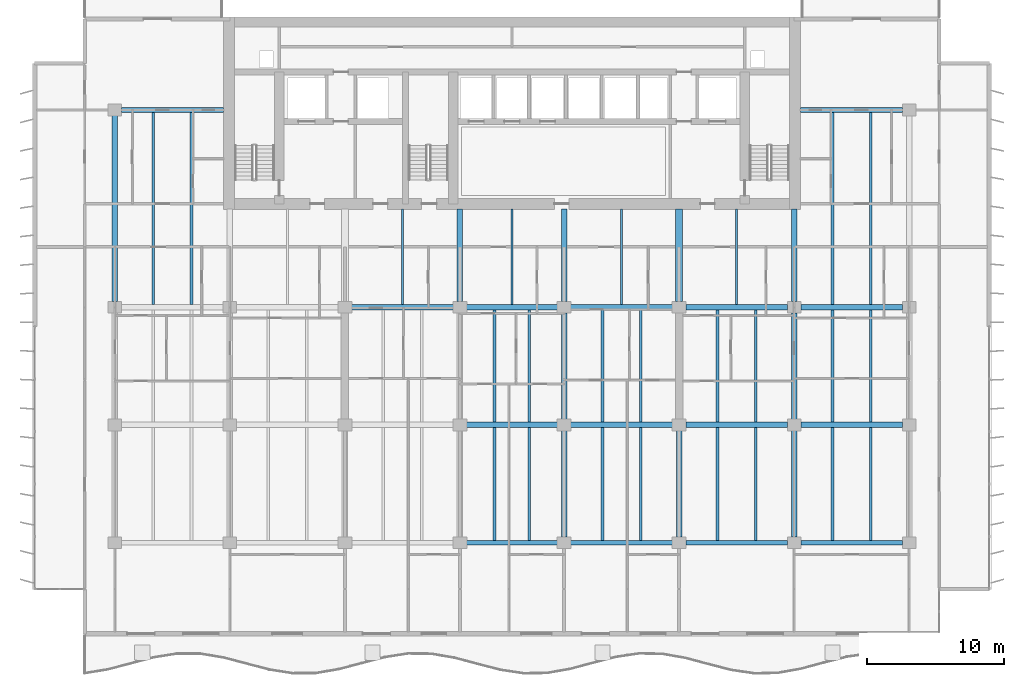
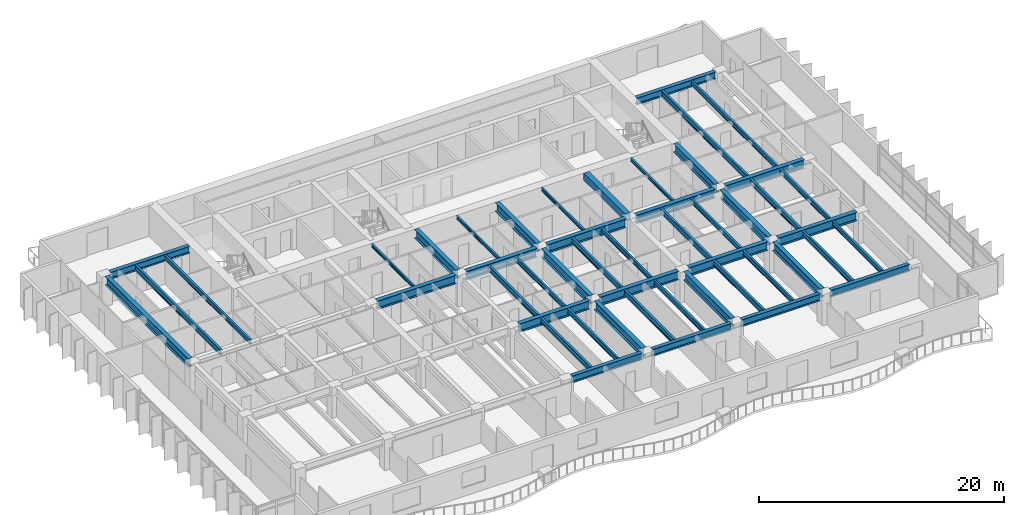
# One storey, part 3 of 19: 49 beams.
"""IFC4 building model written with IfcOpenShell, lengths in metres."""

from ifc_helpers import new_model, si_unit, direction, frame, origin, origin_2d, place, context, subcontext, project, spatial, rectangle, i_section, extrude, material, material_profile, profile_set, type_object, element, save


model = new_model("IFC4")

# Units and contexts
model_context = context("Model", 3, precision=1e-05, world=origin(), true_north=direction((0.0, 1.0)))
body_context = subcontext(model_context, "Body", "Model", "MODEL_VIEW")
ifc_project = project(units=[si_unit("LENGTHUNIT", "METRE"), si_unit("AREAUNIT", "SQUARE_METRE"), si_unit("VOLUMEUNIT", "CUBIC_METRE"), si_unit("PLANEANGLEUNIT", "RADIAN"), si_unit("MASSUNIT", "GRAM", prefix="KILO")], contexts=[model_context])

# Site, building, storey
site_placement = place(None, origin())
site = spatial("IfcSite", under=ifc_project, at=site_placement, CompositionType="ELEMENT")
building_placement = place(site_placement, origin())
building = spatial("IfcBuilding", under=site, at=building_placement, Name="Caelmar Bay Residences", CompositionType="ELEMENT")
storey_placement = place(building_placement, frame((0.0, 0.0, 91.199951171875)))
storey = spatial("IfcBuildingStorey", under=building, at=storey_placement, Name="L24", CompositionType="ELEMENT", Elevation=91.199951171875)

# Beams
ifc_material_1 = material(Name="Steel ASTM A992 Grade 50", Category="steel")
ifc_material_profile_1 = material_profile(ifc_material_1, i_section(OverallWidth=0.40087890625, OverallDepth=0.861083984375, WebThickness=0.019775390625, FlangeThickness=0.032470703125, FilletRadius=0.017822265625, at=origin_2d()), Name="W33X221")
ifc_profile_set_1 = profile_set([ifc_material_profile_1], Name="Steel ASTM A992 Grade 50")
beam_type_1 = type_object("IfcBeamType", Name="BM-GRD-W33X221", PredefinedType="BEAM", material=ifc_profile_set_1)
beam_1_placement = place(storey_placement, frame((35.590087890625, 20.800048828125, 2.61962890625), z_axis=(1.0, 0.0, 0.0), x_axis=(0.0, 1.0, 0.0)))
element("IfcBeam", 1, at=beam_1_placement, inside=storey, type_object=beam_type_1, Name="L24 East-West Girder Y=20.80 (35.1-42.7)", PredefinedType="BEAM", context=body_context, shape_type="SweptSolid", body=[
    extrude(i_section(OverallWidth=0.40087890625, OverallDepth=0.861083984375, WebThickness=0.019775390625, FlangeThickness=0.032470703125, FilletRadius=0.017822265625, at=origin_2d()), origin(), (0.0, 0.0, 1.0), 6.619873046875),
])
beam_2_placement = place(storey_placement, frame((43.18994140625, 20.800048828125, 2.61962890625), z_axis=(1.0, 0.0, 0.0), x_axis=(0.0, 1.0, 0.0)))
element("IfcBeam", 2, at=beam_2_placement, inside=storey, type_object=beam_type_1, Name="L24 East-West Girder Y=20.80 (42.7-51.1)", PredefinedType="BEAM", context=body_context, shape_type="SweptSolid", body=[
    extrude(i_section(OverallWidth=0.40087890625, OverallDepth=0.861083984375, WebThickness=0.019775390625, FlangeThickness=0.032470703125, FilletRadius=0.017822265625, at=origin_2d()), origin(), (0.0, 0.0, 1.0), 7.420166015625),
])
for number, where, z_axis, x_axis, name in (
    (3, (51.590087890625, 20.800048828125, 2.61962890625), (1.0, 0.0, 0.0), (0.0, 1.0, 0.0), "L24 East-West Girder Y=20.80 (51.1-59.5)"),
    (4, (59.989990234375, 20.800048828125, 2.61962890625), (1.0, 0.0, 0.0), (0.0, 1.0, 0.0), "L24 East-West Girder Y=20.80 (59.5-67.9)"),
):
    element("IfcBeam", number, at=place(storey_placement, frame(where, z_axis=z_axis, x_axis=x_axis)), inside=storey, type_object=beam_type_1, Name=name, PredefinedType="BEAM", context=body_context, shape_type="SweptSolid", body=[
        extrude(i_section(OverallWidth=0.40087890625, OverallDepth=0.861083984375, WebThickness=0.019775390625, FlangeThickness=0.032470703125, FilletRadius=0.017822265625, at=origin_2d()), origin(), (0.0, 0.0, 1.0), 7.419921875),
    ])
beam_3_placement = place(storey_placement, frame((27.18994140625, 29.39990234375, 2.61962890625), z_axis=(1.0, 0.0, 0.0), x_axis=(0.0, 1.0, 0.0)))
element("IfcBeam", 5, at=beam_3_placement, inside=storey, type_object=beam_type_1, Name="L24 East-West Girder Y=29.40 (26.7-35.1)", PredefinedType="BEAM", context=body_context, shape_type="SweptSolid", body=[
    extrude(i_section(OverallWidth=0.40087890625, OverallDepth=0.861083984375, WebThickness=0.019775390625, FlangeThickness=0.032470703125, FilletRadius=0.017822265625, at=origin_2d()), origin(), (0.0, 0.0, 1.0), 7.420166015625),
])
beam_4_placement = place(storey_placement, frame((35.590087890625, 29.39990234375, 2.61962890625), z_axis=(1.0, 0.0, 0.0), x_axis=(0.0, 1.0, 0.0)))
element("IfcBeam", 6, at=beam_4_placement, inside=storey, type_object=beam_type_1, Name="L24 East-West Girder Y=29.40 (35.1-42.7)", PredefinedType="BEAM", context=body_context, shape_type="SweptSolid", body=[
    extrude(i_section(OverallWidth=0.40087890625, OverallDepth=0.861083984375, WebThickness=0.019775390625, FlangeThickness=0.032470703125, FilletRadius=0.017822265625, at=origin_2d()), origin(), (0.0, 0.0, 1.0), 6.619873046875),
])
beam_5_placement = place(storey_placement, frame((43.18994140625, 29.39990234375, 2.61962890625), z_axis=(1.0, 0.0, 0.0), x_axis=(0.0, 1.0, 0.0)))
element("IfcBeam", 7, at=beam_5_placement, inside=storey, type_object=beam_type_1, Name="L24 East-West Girder Y=29.40 (42.7-51.1)", PredefinedType="BEAM", context=body_context, shape_type="SweptSolid", body=[
    extrude(i_section(OverallWidth=0.40087890625, OverallDepth=0.861083984375, WebThickness=0.019775390625, FlangeThickness=0.032470703125, FilletRadius=0.017822265625, at=origin_2d()), origin(), (0.0, 0.0, 1.0), 7.420166015625),
])
for number, where, z_axis, x_axis, name in (
    (8, (51.590087890625, 29.39990234375, 2.61962890625), (1.0, 0.0, 0.0), (0.0, 1.0, 0.0), "L24 East-West Girder Y=29.40 (51.1-59.5)"),
    (9, (59.989990234375, 29.39990234375, 2.61962890625), (1.0, 0.0, 0.0), (0.0, 1.0, 0.0), "L24 East-West Girder Y=29.40 (59.5-67.9)"),
):
    element("IfcBeam", number, at=place(storey_placement, frame(where, z_axis=z_axis, x_axis=x_axis)), inside=storey, type_object=beam_type_1, Name=name, PredefinedType="BEAM", context=body_context, shape_type="SweptSolid", body=[
        extrude(i_section(OverallWidth=0.40087890625, OverallDepth=0.861083984375, WebThickness=0.019775390625, FlangeThickness=0.032470703125, FilletRadius=0.017822265625, at=origin_2d()), origin(), (0.0, 0.0, 1.0), 7.419921875),
    ])
beam_6_placement = place(storey_placement, frame((9.89990234375, 29.81494140625, 2.61962890625), z_axis=(0.0, 1.0, 0.0), x_axis=(-1.0, 0.0, 0.0)))
element("IfcBeam", 10, at=beam_6_placement, inside=storey, type_object=beam_type_1, Name="L24 North-South Girder X=9.90 (29.4-43.8)", PredefinedType="BEAM", context=body_context, shape_type="SweptSolid", body=[
    extrude(i_section(OverallWidth=0.40087890625, OverallDepth=0.861083984375, WebThickness=0.019775390625, FlangeThickness=0.032470703125, FilletRadius=0.017822265625, at=origin_2d()), origin(), (0.0, 0.0, 1.0), 13.570068359375),
])
for number, where, z_axis, x_axis, name in (
    (11, (35.10009765625, 29.81494140625, 2.61962890625), (0.0, 1.0, 0.0), (-1.0, 0.0, 0.0), "L24 Core Tie Girder X=35.10"),
    (12, (42.699951171875, 29.81494140625, 2.61962890625), (0.0, 1.0, 0.0), (-1.0, 0.0, 0.0), "L24 Core Tie Girder X=42.70"),
):
    element("IfcBeam", number, at=place(storey_placement, frame(where, z_axis=z_axis, x_axis=x_axis)), inside=storey, type_object=beam_type_1, Name=name, PredefinedType="BEAM", context=body_context, shape_type="SweptSolid", body=[
        extrude(i_section(OverallWidth=0.40087890625, OverallDepth=0.861083984375, WebThickness=0.019775390625, FlangeThickness=0.032470703125, FilletRadius=0.017822265625, at=origin_2d()), origin(), (0.0, 0.0, 1.0), 6.735107421875),
    ])
for number, where, z_axis, x_axis, name in (
    (13, (42.699951171875, 12.614990234375, 2.61962890625), (0.0, 1.0, 0.0), (-1.0, 0.0, 0.0), "L24 North-South Girder X=42.70 (12.2-20.8)"),
    (14, (42.699951171875, 21.215087890625, 2.61962890625), (0.0, 1.0, 0.0), (-1.0, 0.0, 0.0), "L24 North-South Girder X=42.70 (20.8-29.4)"),
    (15, (51.10009765625, 12.614990234375, 2.61962890625), (0.0, 1.0, 0.0), (-1.0, 0.0, 0.0), "L24 North-South Girder X=51.10 (12.2-20.8)"),
):
    element("IfcBeam", number, at=place(storey_placement, frame(where, z_axis=z_axis, x_axis=x_axis)), inside=storey, type_object=beam_type_1, Name=name, PredefinedType="BEAM", context=body_context, shape_type="SweptSolid", body=[
        extrude(i_section(OverallWidth=0.40087890625, OverallDepth=0.861083984375, WebThickness=0.019775390625, FlangeThickness=0.032470703125, FilletRadius=0.017822265625, at=origin_2d()), origin(), (0.0, 0.0, 1.0), 7.77001953125),
    ])
beam_7_placement = place(storey_placement, frame((59.5, 29.81494140625, 2.61962890625), z_axis=(0.0, 1.0, 0.0), x_axis=(-1.0, 0.0, 0.0)))
element("IfcBeam", 16, at=beam_7_placement, inside=storey, type_object=beam_type_1, Name="L24 Core Tie Girder X=59.50", PredefinedType="BEAM", context=body_context, shape_type="SweptSolid", body=[
    extrude(i_section(OverallWidth=0.40087890625, OverallDepth=0.861083984375, WebThickness=0.019775390625, FlangeThickness=0.032470703125, FilletRadius=0.017822265625, at=origin_2d()), origin(), (0.0, 0.0, 1.0), 6.735107421875),
])
for number, where, z_axis, x_axis, name in (
    (17, (59.5, 12.614990234375, 2.61962890625), (0.0, 1.0, 0.0), (-1.0, 0.0, 0.0), "L24 North-South Girder X=59.50 (12.2-20.8)"),
    (18, (59.5, 21.215087890625, 2.61962890625), (0.0, 1.0, 0.0), (-1.0, 0.0, 0.0), "L24 North-South Girder X=59.50 (20.8-29.4)"),
):
    element("IfcBeam", number, at=place(storey_placement, frame(where, z_axis=z_axis, x_axis=x_axis)), inside=storey, type_object=beam_type_1, Name=name, PredefinedType="BEAM", context=body_context, shape_type="SweptSolid", body=[
        extrude(i_section(OverallWidth=0.40087890625, OverallDepth=0.861083984375, WebThickness=0.019775390625, FlangeThickness=0.032470703125, FilletRadius=0.017822265625, at=origin_2d()), origin(), (0.0, 0.0, 1.0), 7.77001953125),
    ])
ifc_material_profile_2 = material_profile(ifc_material_1, i_section(OverallWidth=0.1650390625, OverallDepth=0.31005859375, WebThickness=0.005859375, FlangeThickness=0.009765625, FilletRadius=0.007568359375, at=origin_2d()), Name="W12X26")
ifc_profile_set_2 = profile_set([ifc_material_profile_2], Name="Steel ASTM A992 Grade 50")
beam_type_2 = type_object("IfcBeamType", Name="BM-JST-W12X26", PredefinedType="JOIST", material=ifc_profile_set_2)
for number, where, z_axis, x_axis, name in (
    (19, (30.89990234375, 29.6005859375, 2.89501953125), (0.0, 1.0, 0.0), (-1.0, 0.0, 0.0), "L24 Core-Band Composite Joist 30"),
    (20, (38.89990234375, 29.6005859375, 2.89501953125), (0.0, 1.0, 0.0), (-1.0, 0.0, 0.0), "L24 Core-Band Composite Joist 31"),
    (21, (46.89990234375, 29.6005859375, 2.89501953125), (0.0, 1.0, 0.0), (-1.0, 0.0, 0.0), "L24 Core-Band Composite Joist 32"),
    (22, (55.300048828125, 29.6005859375, 2.89501953125), (0.0, 1.0, 0.0), (-1.0, 0.0, 0.0), "L24 Core-Band Composite Joist 33"),
):
    element("IfcBeam", number, at=place(storey_placement, frame(where, z_axis=z_axis, x_axis=x_axis)), inside=storey, type_object=beam_type_2, Name=name, PredefinedType="JOIST", context=body_context, shape_type="SweptSolid", body=[
        extrude(i_section(OverallWidth=0.1650390625, OverallDepth=0.31005859375, WebThickness=0.005859375, FlangeThickness=0.009765625, FilletRadius=0.007568359375, at=origin_2d()), origin(), (0.0, 0.0, 1.0), 6.949462890625),
    ])
ifc_material_profile_3 = material_profile(ifc_material_1, i_section(OverallWidth=0.19091796875, OverallDepth=0.45703125, WebThickness=0.009033203125, FlangeThickness=0.014404296875, FilletRadius=0.01025390625, at=origin_2d()), Name="W18X50")
ifc_profile_set_3 = profile_set([ifc_material_profile_3], Name="Steel ASTM A992 Grade 50")
beam_type_3 = type_object("IfcBeamType", Name="BM-JST-W18X50", PredefinedType="JOIST", material=ifc_profile_set_3)
for number, where, z_axis, x_axis, name in (
    (23, (40.166748046875, 12.3779296875, 2.821533203125), (0.0, 1.0, 0.0), (-1.0, 0.0, 0.0), "L24 Composite Floor Joist 8"),
    (24, (48.300048828125, 12.3779296875, 2.821533203125), (0.0, 1.0, 0.0), (-1.0, 0.0, 0.0), "L24 Composite Floor Joist 10"),
    (25, (56.699951171875, 12.3779296875, 2.821533203125), (0.0, 1.0, 0.0), (-1.0, 0.0, 0.0), "L24 Composite Floor Joist 12"),
    (26, (65.10009765625, 12.3779296875, 2.821533203125), (0.0, 1.0, 0.0), (-1.0, 0.0, 0.0), "L24 Composite Floor Joist 14"),
):
    element("IfcBeam", number, at=place(storey_placement, frame(where, z_axis=z_axis, x_axis=x_axis)), inside=storey, type_object=beam_type_3, Name=name, PredefinedType="JOIST", context=body_context, shape_type="SweptSolid", body=[
        extrude(i_section(OverallWidth=0.19091796875, OverallDepth=0.45703125, WebThickness=0.009033203125, FlangeThickness=0.014404296875, FilletRadius=0.01025390625, at=origin_2d()), origin(), (0.0, 0.0, 1.0), 8.2216796875),
    ])
for number, where, z_axis, x_axis, name in (
    (27, (40.166748046875, 21.00048828125, 2.821533203125), (0.0, 1.0, 0.0), (-1.0, 0.0, 0.0), "L24 Composite Floor Joist 22"),
    (28, (48.300048828125, 21.00048828125, 2.821533203125), (0.0, 1.0, 0.0), (-1.0, 0.0, 0.0), "L24 Composite Floor Joist 24"),
    (29, (56.699951171875, 21.00048828125, 2.821533203125), (0.0, 1.0, 0.0), (-1.0, 0.0, 0.0), "L24 Composite Floor Joist 26"),
    (30, (65.10009765625, 21.00048828125, 2.821533203125), (0.0, 1.0, 0.0), (-1.0, 0.0, 0.0), "L24 Composite Floor Joist 28"),
):
    element("IfcBeam", number, at=place(storey_placement, frame(where, z_axis=z_axis, x_axis=x_axis)), inside=storey, type_object=beam_type_3, Name=name, PredefinedType="JOIST", context=body_context, shape_type="SweptSolid", body=[
        extrude(i_section(OverallWidth=0.19091796875, OverallDepth=0.45703125, WebThickness=0.009033203125, FlangeThickness=0.014404296875, FilletRadius=0.01025390625, at=origin_2d()), origin(), (0.0, 0.0, 1.0), 8.198974609375),
    ])
for number, where, z_axis, x_axis, name in (
    (31, (15.5, 29.6005859375, 2.821533203125), (0.0, 1.0, 0.0), (-1.0, 0.0, 0.0), "L24 Composite Floor Joist 35"),
    (32, (65.10009765625, 29.6005859375, 2.821533203125), (0.0, 1.0, 0.0), (-1.0, 0.0, 0.0), "L24 Composite Floor Joist 37"),
):
    element("IfcBeam", number, at=place(storey_placement, frame(where, z_axis=z_axis, x_axis=x_axis)), inside=storey, type_object=beam_type_3, Name=name, PredefinedType="JOIST", context=body_context, shape_type="SweptSolid", body=[
        extrude(i_section(OverallWidth=0.19091796875, OverallDepth=0.45703125, WebThickness=0.009033203125, FlangeThickness=0.014404296875, FilletRadius=0.01025390625, at=origin_2d()), origin(), (0.0, 0.0, 1.0), 14.021484375),
    ])
ifc_material_profile_4 = material_profile(ifc_material_1, i_section(OverallWidth=0.2099609375, OverallDepth=0.535888671875, WebThickness=0.010986328125, FlangeThickness=0.017333984375, FilletRadius=0.0126953125, at=origin_2d()), Name="W21X68")
ifc_profile_set_4 = profile_set([ifc_material_profile_4], Name="Steel ASTM A992 Grade 50")
beam_type_4 = type_object("IfcBeamType", Name="BM-JST-W21X68", PredefinedType="JOIST", material=ifc_profile_set_4)
for number, where, z_axis, x_axis, name in (
    (33, (37.63330078125, 12.3779296875, 2.781982421875), (0.0, 1.0, 0.0), (-1.0, 0.0, 0.0), "L24 Composite Floor Joist 7"),
    (34, (45.5, 12.3779296875, 2.781982421875), (0.0, 1.0, 0.0), (-1.0, 0.0, 0.0), "L24 Composite Floor Joist 9"),
    (35, (53.89990234375, 12.3779296875, 2.781982421875), (0.0, 1.0, 0.0), (-1.0, 0.0, 0.0), "L24 Composite Floor Joist 11"),
    (36, (62.300048828125, 12.3779296875, 2.781982421875), (0.0, 1.0, 0.0), (-1.0, 0.0, 0.0), "L24 Composite Floor Joist 13"),
):
    element("IfcBeam", number, at=place(storey_placement, frame(where, z_axis=z_axis, x_axis=x_axis)), inside=storey, type_object=beam_type_4, Name=name, PredefinedType="JOIST", context=body_context, shape_type="SweptSolid", body=[
        extrude(i_section(OverallWidth=0.2099609375, OverallDepth=0.535888671875, WebThickness=0.010986328125, FlangeThickness=0.017333984375, FilletRadius=0.0126953125, at=origin_2d()), origin(), (0.0, 0.0, 1.0), 8.2216796875),
    ])
for number, where, z_axis, x_axis, name in (
    (37, (37.63330078125, 21.00048828125, 2.781982421875), (0.0, 1.0, 0.0), (-1.0, 0.0, 0.0), "L24 Composite Floor Joist 21"),
    (38, (45.5, 21.00048828125, 2.781982421875), (0.0, 1.0, 0.0), (-1.0, 0.0, 0.0), "L24 Composite Floor Joist 23"),
    (39, (53.89990234375, 21.00048828125, 2.781982421875), (0.0, 1.0, 0.0), (-1.0, 0.0, 0.0), "L24 Composite Floor Joist 25"),
    (40, (62.300048828125, 21.00048828125, 2.781982421875), (0.0, 1.0, 0.0), (-1.0, 0.0, 0.0), "L24 Composite Floor Joist 27"),
):
    element("IfcBeam", number, at=place(storey_placement, frame(where, z_axis=z_axis, x_axis=x_axis)), inside=storey, type_object=beam_type_4, Name=name, PredefinedType="JOIST", context=body_context, shape_type="SweptSolid", body=[
        extrude(i_section(OverallWidth=0.2099609375, OverallDepth=0.535888671875, WebThickness=0.010986328125, FlangeThickness=0.017333984375, FilletRadius=0.0126953125, at=origin_2d()), origin(), (0.0, 0.0, 1.0), 8.198974609375),
    ])
for number, where, z_axis, x_axis, name in (
    (41, (12.699951171875, 29.6005859375, 2.781982421875), (0.0, 1.0, 0.0), (-1.0, 0.0, 0.0), "L24 Composite Floor Joist 34"),
    (42, (62.300048828125, 29.6005859375, 2.781982421875), (0.0, 1.0, 0.0), (-1.0, 0.0, 0.0), "L24 Composite Floor Joist 36"),
):
    element("IfcBeam", number, at=place(storey_placement, frame(where, z_axis=z_axis, x_axis=x_axis)), inside=storey, type_object=beam_type_4, Name=name, PredefinedType="JOIST", context=body_context, shape_type="SweptSolid", body=[
        extrude(i_section(OverallWidth=0.2099609375, OverallDepth=0.535888671875, WebThickness=0.010986328125, FlangeThickness=0.017333984375, FilletRadius=0.0126953125, at=origin_2d()), origin(), (0.0, 0.0, 1.0), 14.021484375),
    ])
ifc_material_2 = material(Name="Concrete f'c 55 MPa (8,000 psi)", Category="concrete")
ifc_material_profile_5 = material_profile(ifc_material_2, rectangle(XDim=0.5, YDim=0.699951171875, at=origin_2d()), Name="RC-BM-500X700")
ifc_profile_set_5 = profile_set([ifc_material_profile_5], Name="Concrete f'c 55 MPa (8,000 psi)")
beam_type_5 = type_object("IfcBeamType", Name="BM-RC-500X700", PredefinedType="LINTEL", material=ifc_profile_set_5)
beam_8_placement = place(storey_placement, frame((51.10009765625, 29.81494140625, 2.699951171875), z_axis=(0.0, 1.0, 0.0), x_axis=(-1.0, 0.0, 0.0)))
element("IfcBeam", 43, at=beam_8_placement, inside=storey, type_object=beam_type_5, Name="L24 Shear-Wall Corridor Coupling Lintel E8", PredefinedType="LINTEL", context=body_context, shape_type="SweptSolid", body=[
    extrude(rectangle(XDim=0.5, YDim=0.699951171875, at=origin_2d()), origin(), (0.0, 0.0, 1.0), 6.735107421875),
])
ifc_material_profile_6 = material_profile(ifc_material_1, i_section(OverallWidth=0.35595703125, OverallDepth=0.696044921875, WebThickness=0.015380859375, FlangeThickness=0.02490234375, FilletRadius=0.01513671875, at=origin_2d()), Name="W27X146")
ifc_profile_set_6 = profile_set([ifc_material_profile_6], Name="Steel ASTM A992 Grade 50")
beam_type_6 = type_object("IfcBeamType", Name="BM-SPN-W27X146", PredefinedType="SPANDREL", material=ifc_profile_set_6)
beam_9_placement = place(storey_placement, frame((35.590087890625, 12.199951171875, 2.7021484375), z_axis=(1.0, 0.0, 0.0), x_axis=(0.0, 1.0, 0.0)))
element("IfcBeam", 44, at=beam_9_placement, inside=storey, type_object=beam_type_6, Name="L24 East-West Girder Y=12.20 (35.1-42.7)", PredefinedType="SPANDREL", context=body_context, shape_type="SweptSolid", body=[
    extrude(i_section(OverallWidth=0.35595703125, OverallDepth=0.696044921875, WebThickness=0.015380859375, FlangeThickness=0.02490234375, FilletRadius=0.01513671875, at=origin_2d()), origin(), (0.0, 0.0, 1.0), 6.619873046875),
])
beam_10_placement = place(storey_placement, frame((43.18994140625, 12.199951171875, 2.7021484375), z_axis=(1.0, 0.0, 0.0), x_axis=(0.0, 1.0, 0.0)))
element("IfcBeam", 45, at=beam_10_placement, inside=storey, type_object=beam_type_6, Name="L24 East-West Girder Y=12.20 (42.7-51.1)", PredefinedType="SPANDREL", context=body_context, shape_type="SweptSolid", body=[
    extrude(i_section(OverallWidth=0.35595703125, OverallDepth=0.696044921875, WebThickness=0.015380859375, FlangeThickness=0.02490234375, FilletRadius=0.01513671875, at=origin_2d()), origin(), (0.0, 0.0, 1.0), 7.420166015625),
])
for number, where, z_axis, x_axis, name in (
    (46, (51.590087890625, 12.199951171875, 2.7021484375), (1.0, 0.0, 0.0), (0.0, 1.0, 0.0), "L24 East-West Girder Y=12.20 (51.1-59.5)"),
    (47, (59.989990234375, 12.199951171875, 2.7021484375), (1.0, 0.0, 0.0), (0.0, 1.0, 0.0), "L24 East-West Girder Y=12.20 (59.5-67.9)"),
):
    element("IfcBeam", number, at=place(storey_placement, frame(where, z_axis=z_axis, x_axis=x_axis)), inside=storey, type_object=beam_type_6, Name=name, PredefinedType="SPANDREL", context=body_context, shape_type="SweptSolid", body=[
        extrude(i_section(OverallWidth=0.35595703125, OverallDepth=0.696044921875, WebThickness=0.015380859375, FlangeThickness=0.02490234375, FilletRadius=0.01513671875, at=origin_2d()), origin(), (0.0, 0.0, 1.0), 7.419921875),
    ])
beam_11_placement = place(storey_placement, frame((10.389892578125, 43.800048828125, 2.7021484375), z_axis=(1.0, 0.0, 0.0), x_axis=(0.0, 1.0, 0.0)))
element("IfcBeam", 48, at=beam_11_placement, inside=storey, type_object=beam_type_6, Name="L24 North-West Wing Core Tie Girder", PredefinedType="SPANDREL", context=body_context, shape_type="SweptSolid", body=[
    extrude(i_section(OverallWidth=0.35595703125, OverallDepth=0.696044921875, WebThickness=0.015380859375, FlangeThickness=0.02490234375, FilletRadius=0.01513671875, at=origin_2d()), origin(), (0.0, 0.0, 1.0), 7.460205078125),
])
beam_12_placement = place(storey_placement, frame((59.949951171875, 43.800048828125, 2.7021484375), z_axis=(1.0, 0.0, 0.0), x_axis=(0.0, 1.0, 0.0)))
element("IfcBeam", 49, at=beam_12_placement, inside=storey, type_object=beam_type_6, Name="L24 North-East Wing Core Tie Girder", PredefinedType="SPANDREL", context=body_context, shape_type="SweptSolid", body=[
    extrude(i_section(OverallWidth=0.35595703125, OverallDepth=0.696044921875, WebThickness=0.015380859375, FlangeThickness=0.02490234375, FilletRadius=0.01513671875, at=origin_2d()), origin(), (0.0, 0.0, 1.0), 7.4599609375),
])

save(model, "model.ifc")
